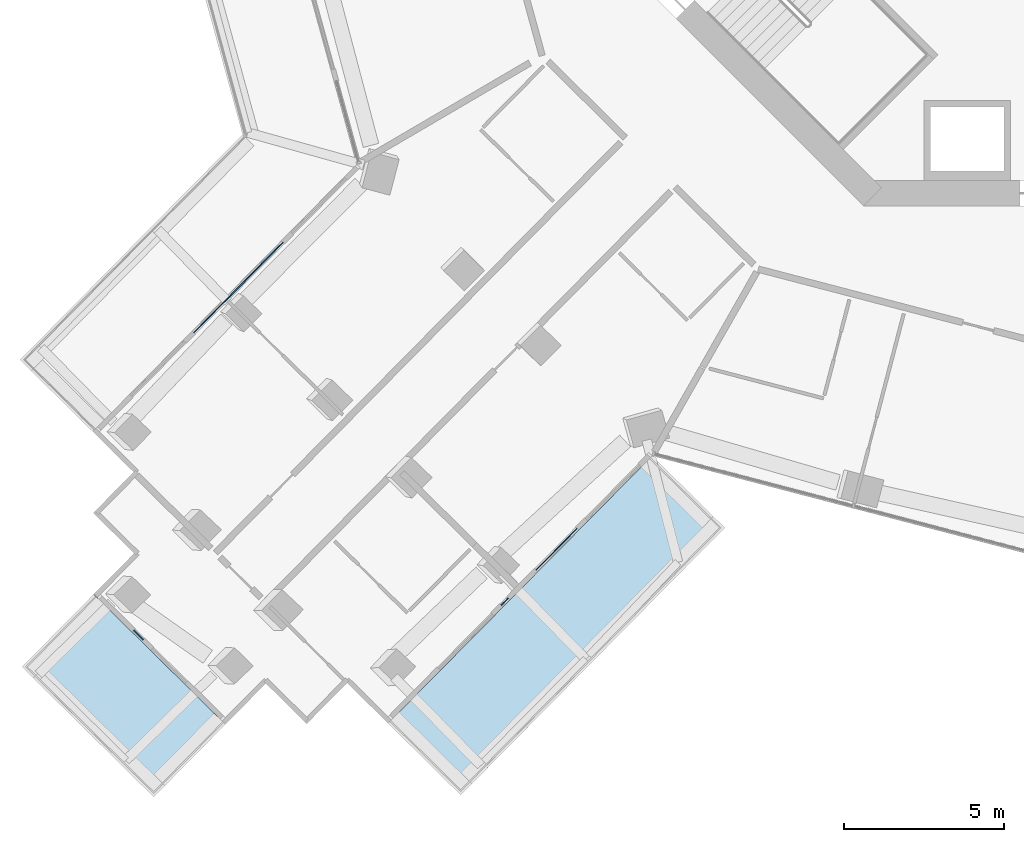
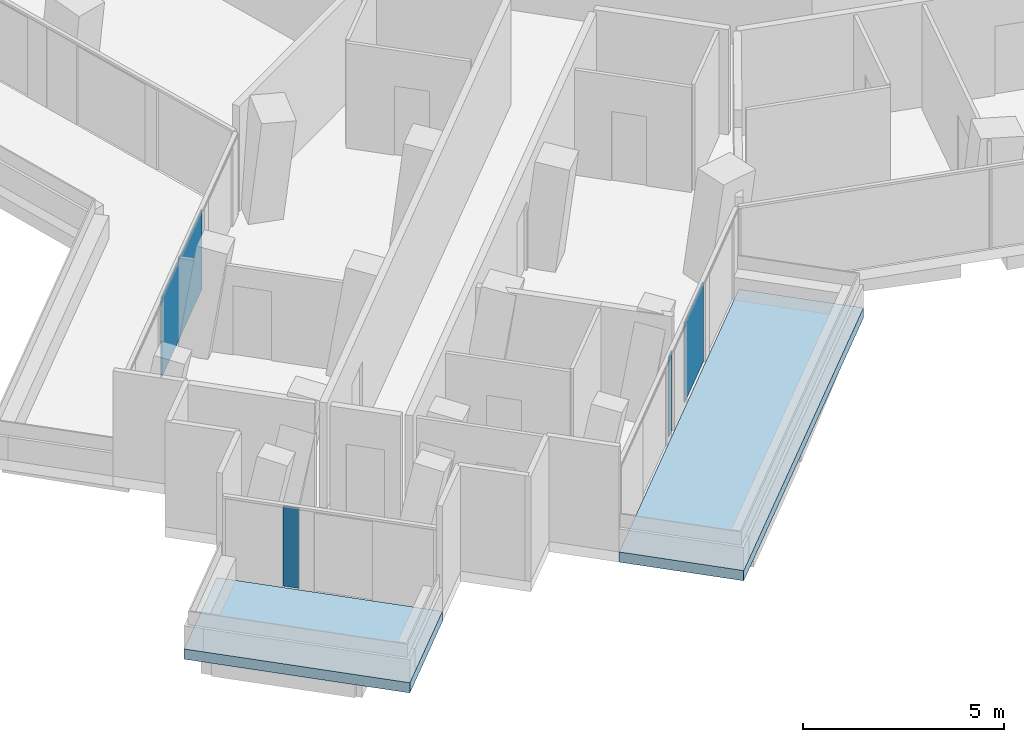
# One storey, part 12 of 26: 4 plates, 2 slabs, 3 elements without a shape of their own.
"""IFC4 building model written with IfcOpenShell, lengths in metres."""

import ifcopenshell
import ifcopenshell.guid

model = None  # the IFC model being written
_history = None  # IfcOwnerHistory: only IFC2X3 demands one
_inside = {}  # id of a spatial element -> (the spatial element, [elements in it])
_under = {}  # id of a project, library or spatial element -> (it, [spatial elements below it])
_declared = {}  # id of a project -> (the project, [libraries it declares])
_typed = {}  # id of a type object -> (the type object, [elements of that type])
_made_of = {}  # id of a material, layer set ... -> (it, [elements and type objects made of it])


def new_model(schema):
    """Start an empty IFC model of exactly this schema.

    Asked for "IFC4X3", IfcOpenShell would pick the latest addendum, in which some entities
    have other attributes; the version numbers below select the first issue.
    IFC2X3 requires an IfcOwnerHistory on every rooted entity: one is made here for all.
    """
    global model, _history
    if schema == "IFC4X3":
        model = ifcopenshell.file(schema_version=(4, 3, 0, 0))
    else:
        model = ifcopenshell.file(schema=schema)
    _inside.clear()
    _under.clear()
    _declared.clear()
    _typed.clear()
    _made_of.clear()
    _history = None
    if model.schema == "IFC2X3":
        org = make("IfcOrganization", Name="unknown")
        user = make(
            "IfcPersonAndOrganization",
            ThePerson=make("IfcPerson", FamilyName="unknown"),
            TheOrganization=org,
        )
        app = make(
            "IfcApplication",
            ApplicationDeveloper=org,
            Version="unknown",
            ApplicationFullName="unknown",
            ApplicationIdentifier="unknown",
        )
        _history = make(
            "IfcOwnerHistory",
            OwningUser=user,
            OwningApplication=app,
            ChangeAction="ADDED",
            CreationDate=0,
        )
    return model


def make(cls, **values):
    """One entity of the class cls with the attributes given. An attribute that is None is left unset."""
    return model.create_entity(
        cls, **{name: value for name, value in values.items() if value is not None}
    )


def rooted(cls, **values):
    """An entity with a GlobalId (a new one), such as an element, a storey or a relation."""
    return make(cls, GlobalId=ifcopenshell.guid.new(), OwnerHistory=_history, **values)


def si_unit(unit_type, name, prefix=None):
    """IfcSIUnit, for example si_unit("LENGTHUNIT", "METRE", prefix="MILLI")."""
    return make("IfcSIUnit", UnitType=unit_type, Prefix=prefix, Name=name)


def assignment(units):
    """IfcUnitAssignment: the units of a project."""
    return None if units is None else make("IfcUnitAssignment", Units=units)


def point(xyz):
    """IfcCartesianPoint."""
    return None if xyz is None else make("IfcCartesianPoint", Coordinates=xyz)


def direction(xyz):
    """IfcDirection."""
    return None if xyz is None else make("IfcDirection", DirectionRatios=xyz)


def frame(location, z_axis=None, x_axis=None):
    """IfcAxis2Placement3D, a coordinate frame: its origin and axes. An axis left out is left unset."""
    return make(
        "IfcAxis2Placement3D",
        Location=point(location),
        Axis=direction(z_axis),
        RefDirection=direction(x_axis),
    )


def frame_2d(location, x_axis=None):
    """IfcAxis2Placement2D, a coordinate frame in the plane: its origin and x axis."""
    return make(
        "IfcAxis2Placement2D", Location=point(location), RefDirection=direction(x_axis)
    )


def origin():
    """The frame at (0, 0, 0) with its axes left unset."""
    return frame((0.0, 0.0, 0.0))


def origin_2d():
    """The frame at (0, 0) in the plane with its x axis left unset."""
    return frame_2d((0.0, 0.0))


def place(relative_to, where):
    """IfcLocalPlacement: puts the frame where relative to a parent placement (None: the world)."""
    return make(
        "IfcLocalPlacement", PlacementRelTo=relative_to, RelativePlacement=where
    )


def context(
    kind, dimensions, precision=None, world=None, true_north=None, identifier=None
):
    """IfcGeometricRepresentationContext, for example the 3D "Model" context."""
    return make(
        "IfcGeometricRepresentationContext",
        ContextIdentifier=identifier,
        ContextType=kind,
        CoordinateSpaceDimension=dimensions,
        Precision=precision,
        WorldCoordinateSystem=world,
        TrueNorth=true_north,
    )


def subcontext(parent, identifier, kind, view, scale=None):
    """IfcGeometricRepresentationSubContext, for example "Body" below "Model"."""
    return make(
        "IfcGeometricRepresentationSubContext",
        ContextIdentifier=identifier,
        ContextType=kind,
        ParentContext=parent,
        TargetScale=scale,
        TargetView=view,
    )


def project(units=None, contexts=None):
    """IfcProject with its units and contexts."""
    return rooted(
        "IfcProject",
        Name="project",
        RepresentationContexts=contexts,
        UnitsInContext=assignment(units),
    )


def spatial(cls, under=None, at=None, **own):
    """A site, building, storey or space (cls), placed at a placement, below another one or the project."""
    s = rooted(cls, ObjectPlacement=at, **own)
    if under is not None:
        _under.setdefault(under.id(), (under, []))[1].append(s)
    return s


def polyline(points):
    """IfcPolyline through the points."""
    return make("IfcPolyline", Points=[point(p) for p in points])


def profile(cls, at=None, kind="AREA", **sizes):
    """A parametric profile (cls). Its sizes go by their IFC names, for example OverallWidth=200.0."""
    return make(cls, ProfileType=kind, Position=at, **sizes)


def rectangle(**sizes):
    """IfcRectangleProfileDef."""
    return profile("IfcRectangleProfileDef", **sizes)


def outline(outer, holes=None, kind="AREA"):
    """IfcArbitraryClosedProfileDef: a profile drawn as a closed curve; with holes, ...WithVoids."""
    if holes is None:
        return make("IfcArbitraryClosedProfileDef", ProfileType=kind, OuterCurve=outer)
    return make(
        "IfcArbitraryProfileDefWithVoids",
        ProfileType=kind,
        OuterCurve=outer,
        InnerCurves=holes,
    )


def extrude(swept, where, along, depth):
    """IfcExtrudedAreaSolid: the profile swept, set in the frame where, extruded along a direction by depth."""
    return make(
        "IfcExtrudedAreaSolid",
        SweptArea=swept,
        Position=where,
        ExtrudedDirection=direction(along),
        Depth=depth,
    )


def shape(context_of_items, identifier, shape_type, items):
    """IfcShapeRepresentation: the items that make up one representation, for example the "Body"."""
    return make(
        "IfcShapeRepresentation",
        ContextOfItems=context_of_items,
        RepresentationIdentifier=identifier,
        RepresentationType=shape_type,
        Items=items,
    )


def material(Name=None, Category=None):
    """IfcMaterial."""
    return make("IfcMaterial", Name=Name, Category=Category)


def layer(
    of_material, thickness, ventilated=None, Name=None, Category=None, Priority=None
):
    """IfcMaterialLayer: one layer of a wall or slab, of a material (None: an air gap)."""
    return make(
        "IfcMaterialLayer",
        Material=of_material,
        LayerThickness=thickness,
        IsVentilated=ventilated,
        Name=Name,
        Category=Category,
        Priority=Priority,
    )


def layer_set(layers, Name=None):
    """IfcMaterialLayerSet."""
    return make("IfcMaterialLayerSet", MaterialLayers=layers, LayerSetName=Name)


def made_of(thing, what):
    """Note that an element or type object is made of a material, layer set ...; save() writes the relation."""
    if what is not None:
        _made_of.setdefault(what.id(), (what, []))[1].append(thing)
    return thing


def type_object(cls, material=None, **own):
    """A type object (cls), such as IfcWallType, which elements share."""
    return made_of(rooted(cls, **own), material)


def element(
    cls,
    number,
    at=None,
    inside=None,
    cuts=None,
    type_object=None,
    material=None,
    context=None,
    identifier="Body",
    shape_type=None,
    held_by="IfcProductDefinitionShape",
    body=None,
    shapes=None,
    **own,
):
    """One element of the class cls, such as IfcWall. Its Tag is "e" and its number.

    at: its placement. inside: the storey or other place that contains it. cuts: it is an
    opening in that element (IfcRelVoidsElement). A single representation is given by context,
    identifier, shape_type and body (its items); several are given by shapes. held_by: the class
    of the entity that holds the representations. save() writes the other relations.
    """
    e = rooted(cls, Tag="e%d" % number, ObjectPlacement=at, **own)
    if body is not None:
        shapes = [shape(context, identifier, shape_type, body)]
    if shapes is not None:
        e.Representation = make(held_by, Representations=shapes)
    if inside is not None:
        _inside.setdefault(inside.id(), (inside, []))[1].append(e)
    if cuts is not None:
        rooted(
            "IfcRelVoidsElement", RelatingBuildingElement=cuts, RelatedOpeningElement=e
        )
    if type_object is not None:
        _typed.setdefault(type_object.id(), (type_object, []))[1].append(e)
    return made_of(e, material)


def aggregate(whole, parts):
    """IfcRelAggregates: a whole, such as a stair, and the parts it consists of."""
    return rooted("IfcRelAggregates", RelatingObject=whole, RelatedObjects=parts)


def save(model, path):
    """Write the relations noted so far, then the file.

    IfcRelAggregates (storeys below a building ...), IfcRelContainedInSpatialStructure (elements
    in a storey), IfcRelDefinesByType, IfcRelAssociatesMaterial and IfcRelDeclares: one each for
    every whole, place, type object, material and project.
    """
    for whole, parts in _under.values():
        aggregate(whole, parts)
    for where, things in _inside.values():
        rooted(
            "IfcRelContainedInSpatialStructure",
            RelatedElements=things,
            RelatingStructure=where,
        )
    for kind, things in _typed.values():
        rooted("IfcRelDefinesByType", RelatedObjects=things, RelatingType=kind)
    for what, things in _made_of.values():
        rooted("IfcRelAssociatesMaterial", RelatedObjects=things, RelatingMaterial=what)
    for by, libraries in _declared.values():
        rooted("IfcRelDeclares", RelatingContext=by, RelatedDefinitions=libraries)
    model.write(path)


model = new_model("IFC4")

# Units and contexts
model_context = context("Model", 3, precision=1e-05, world=origin(), true_north=direction((0.0, 1.0)))
body_context = subcontext(model_context, "Body", "Model", "MODEL_VIEW")
ifc_project = project(units=[si_unit("LENGTHUNIT", "METRE"), si_unit("AREAUNIT", "SQUARE_METRE"), si_unit("VOLUMEUNIT", "CUBIC_METRE"), si_unit("PLANEANGLEUNIT", "RADIAN"), si_unit("MASSUNIT", "GRAM", prefix="KILO")], contexts=[model_context])

# Site, building, storey
site_placement = place(None, origin())
site = spatial("IfcSite", under=ifc_project, at=site_placement, CompositionType="ELEMENT")
building_placement = place(site_placement, origin())
building = spatial("IfcBuilding", under=site, at=building_placement, Name="Verdalira Terraces Hotel", CompositionType="ELEMENT")
storey_placement = place(building_placement, frame((0.0, 0.0, 96.5)))
storey = spatial("IfcBuildingStorey", under=building, at=storey_placement, Name="L22", CompositionType="ELEMENT", Elevation=96.5)

# Slabs
ifc_material_1 = material(Name="Precast concrete C40/50", Category="concrete")
ifc_layer_1 = layer(ifc_material_1, 0.31005859375)
ifc_layer_set_1 = layer_set([ifc_layer_1], Name="Balcony deck 310")
slab_type = type_object("IfcSlabType", Name="Balcony deck 310", PredefinedType="FLOOR", material=ifc_layer_set_1)
slab_1_placement = place(storey_placement, frame((0.0, 0.0, -0.310059)))
element("IfcSlab", 1, at=slab_1_placement, inside=storey, type_object=slab_type, Name="Balcony deck", PredefinedType="FLOOR", context=body_context, shape_type="SweptSolid", body=[
    extrude(outline(polyline([(-28.030029, -32.511963), (-25.781738, -30.234863), (-29.908447, -26.159668), (-32.156982, -28.436523), (-28.030029, -32.511963)])), origin(), (0.0, 0.0, 1.0), 0.310059),
])
slab_2_placement = place(storey_placement, frame((0.0, 0.0, -0.310059)))
element("IfcSlab", 2, at=slab_2_placement, inside=storey, type_object=slab_type, Name="Balcony deck", PredefinedType="FLOOR", context=body_context, shape_type="SweptSolid", body=[
    extrude(outline(polyline([(-10.143311, -24.076416), (-12.420166, -21.827881), (-20.690674, -30.202881), (-18.413574, -32.451416), (-10.143311, -24.076416)])), origin(), (0.0, 0.0, 1.0), 0.310059),
])

# Curtain wall, plate
ifc_material_2 = material(Name="Clear glass", Category="glass")
ifc_layer_2 = layer(ifc_material_2, 0.14990234375)
ifc_layer_set_2 = layer_set([ifc_layer_2], Name="CW2 curtain wall")
curtain_wall_type_1 = type_object("IfcCurtainWallType", Name="CW2 curtain wall", PredefinedType="NOTDEFINED", material=ifc_layer_set_2)
curtain_wall_1_placement = place(storey_placement, origin())
curtain_wall_1 = element("IfcCurtainWall", 3, at=curtain_wall_1_placement, inside=storey, type_object=curtain_wall_type_1, Name="CW2 curtain wall L22 edge 14", PredefinedType="NOTDEFINED")
ifc_material_3 = material(Name="Clear glass", Category="glass")
ifc_layer_3 = layer(ifc_material_3, 0.031982421875)
ifc_layer_set_3 = layer_set([ifc_layer_3], Name="CW2 glass unit 32")
plate_type_1 = type_object("IfcPlateType", Name="CW2 glass unit 32", PredefinedType="CURTAIN_PANEL", material=ifc_layer_set_3)
plate_1_placement = place(storey_placement, frame((-25.374268, -16.55127, 0.0), z_axis=(0.0, 0.0, 1.0), x_axis=(-0.70264997, -0.711535677, 0.0)))
plate_1 = element("IfcPlate", 4, at=plate_1_placement, type_object=plate_type_1, Name="CW2 glass unit", PredefinedType="CURTAIN_PANEL", context=body_context, shape_type="SweptSolid", body=[
    extrude(rectangle(XDim=3.968262, YDim=0.031982, at=origin_2d()), origin(), (0.0, 0.0, 1.0), 2.425049),
])
aggregate(curtain_wall_1, [plate_1])

# Curtain wall, plates
curtain_wall_2_placement = place(storey_placement, origin())
curtain_wall_2 = element("IfcCurtainWall", 5, at=curtain_wall_2_placement, inside=storey, type_object=curtain_wall_type_1, Name="CW2 curtain wall L22 edge 24", PredefinedType="NOTDEFINED")
plate_2_placement = place(storey_placement, frame((-17.033203, -26.392578, 0.0), z_axis=(0.0, 0.0, 1.0), x_axis=(0.70264997, 0.711535677, 0.0)))
plate_2 = element("IfcPlate", 6, at=plate_2_placement, type_object=plate_type_1, Name="CW2 glass unit", PredefinedType="CURTAIN_PANEL", context=body_context, shape_type="SweptSolid", body=[
    extrude(rectangle(XDim=0.307861, YDim=0.031982, at=origin_2d()), origin(), (0.0, 0.0, 1.0), 2.425049),
])
plate_3_placement = place(storey_placement, frame((-15.411621, -24.750488, 0.0), z_axis=(0.0, 0.0, 1.0), x_axis=(0.70264997, 0.711535677, 0.0)))
plate_3 = element("IfcPlate", 7, at=plate_3_placement, type_object=plate_type_1, Name="CW2 glass unit", PredefinedType="CURTAIN_PANEL", context=body_context, shape_type="SweptSolid", body=[
    extrude(rectangle(XDim=1.822998, YDim=0.031982, at=origin_2d()), origin(), (0.0, 0.0, 1.0), 2.425049),
])
aggregate(curtain_wall_2, [plate_2, plate_3])

# Curtain wall, plate
ifc_material_4 = material(Name="Clear glass", Category="glass")
ifc_layer_4 = layer(ifc_material_4, 0.14990234375)
ifc_layer_set_4 = layer_set([ifc_layer_4], Name="CW3 curtain wall")
curtain_wall_type_2 = type_object("IfcCurtainWallType", Name="CW3 curtain wall", PredefinedType="NOTDEFINED", material=ifc_layer_set_4)
curtain_wall_3_placement = place(storey_placement, origin())
curtain_wall_3 = element("IfcCurtainWall", 8, at=curtain_wall_3_placement, inside=storey, type_object=curtain_wall_type_2, Name="CW3 curtain wall L22 edge 19", PredefinedType="NOTDEFINED")
ifc_material_5 = material(Name="Clear glass", Category="glass")
ifc_layer_5 = layer(ifc_material_5, 0.035888671875)
ifc_layer_set_5 = layer_set([ifc_layer_5], Name="CW3 glass unit 36")
plate_type_2 = type_object("IfcPlateType", Name="CW3 glass unit 36", PredefinedType="CURTAIN_PANEL", material=ifc_layer_set_5)
plate_4_placement = place(storey_placement, frame((-28.508545, -27.436523, 0.0), z_axis=(0.0, 0.0, 1.0), x_axis=(0.711535677, -0.70264997, 0.0)))
plate_4 = element("IfcPlate", 9, at=plate_4_placement, type_object=plate_type_2, Name="CW3 glass unit", PredefinedType="CURTAIN_PANEL", context=body_context, shape_type="SweptSolid", body=[
    extrude(rectangle(XDim=0.413086, YDim=0.035889, at=origin_2d()), origin(), (0.0, 0.0, 1.0), 2.425049),
])
aggregate(curtain_wall_3, [plate_4])

save(model, "model.ifc")
